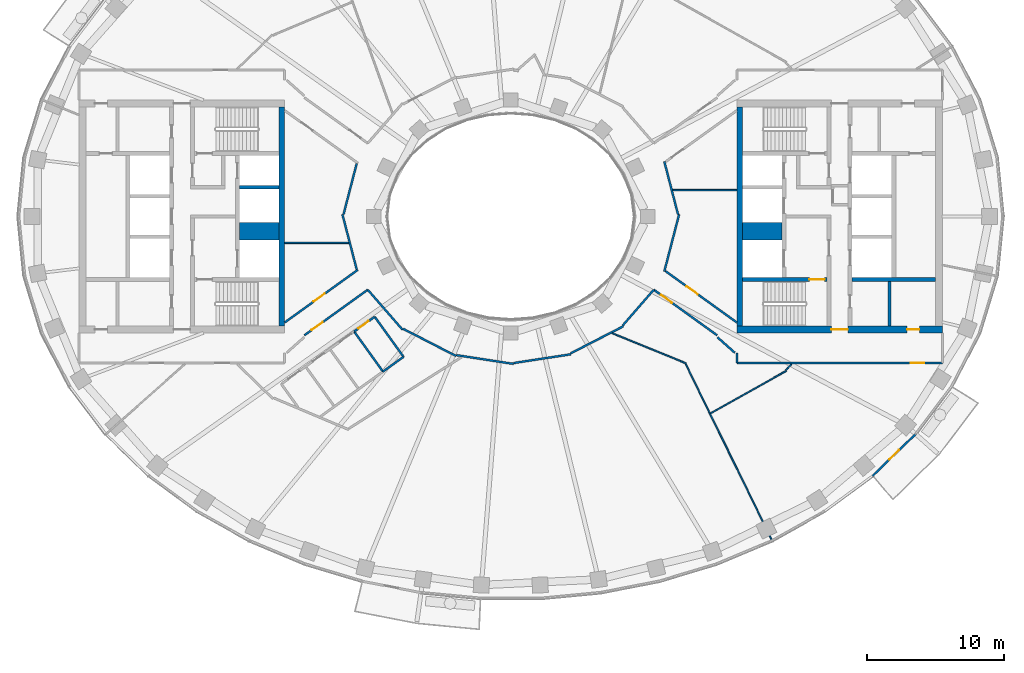
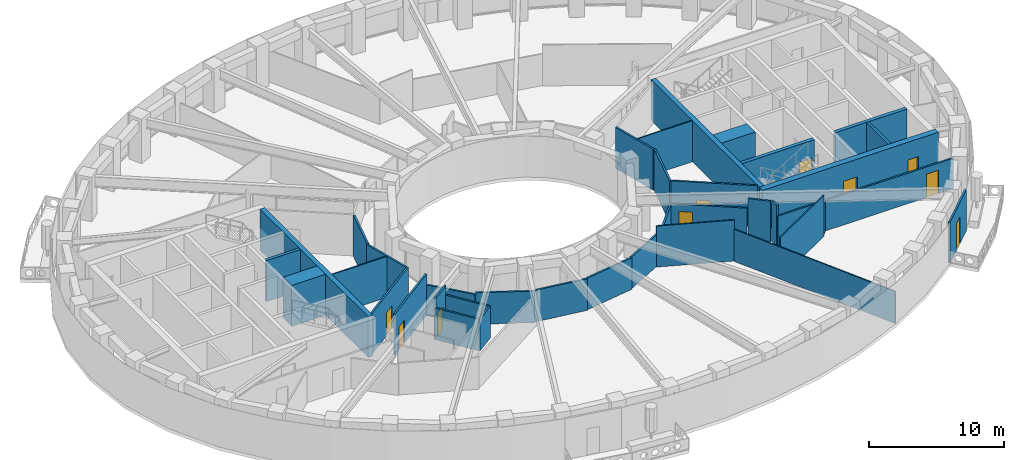
# One storey, part 4 of 16: 37 walls, 10 doors, 10 openings.
"""IFC4 building model written with IfcOpenShell, lengths in metres."""

from ifc_helpers import new_model, si_unit, direction, frame, frame_2d, origin, place, context, subcontext, project, spatial, rectangle, extrude, material, layer, layer_set, type_object, element, fill, save


model = new_model("IFC4")

# Units and contexts
model_context = context("Model", 3, precision=1e-05, world=origin(), true_north=direction((0.0, 1.0)))
body_context = subcontext(model_context, "Body", "Model", "MODEL_VIEW")
ifc_project = project(units=[si_unit("LENGTHUNIT", "METRE"), si_unit("AREAUNIT", "SQUARE_METRE"), si_unit("VOLUMEUNIT", "CUBIC_METRE"), si_unit("PLANEANGLEUNIT", "RADIAN"), si_unit("MASSUNIT", "GRAM", prefix="KILO")], contexts=[model_context])

# Site, building, storey
site_placement = place(None, origin())
site = spatial("IfcSite", under=ifc_project, at=site_placement, CompositionType="ELEMENT")
building_placement = place(site_placement, origin())
building = spatial("IfcBuilding", under=site, at=building_placement, Name="Noorbagh Ring Tower", CompositionType="ELEMENT")
storey_placement = place(building_placement, frame((0.0, 0.0, 178.0)))
storey = spatial("IfcBuildingStorey", under=building, at=storey_placement, Name="L41", CompositionType="ELEMENT", Elevation=178.0)

# Wall, opening, door
ifc_material_1 = material(Name="Gypsum board on steel studs", Category="steel")
ifc_layer_1 = layer(ifc_material_1, 0.14990234375)
ifc_layer_set_1 = layer_set([ifc_layer_1], Name="Gypsum board on steel studs")
wall_type_1 = type_object("IfcWallType", Name="COMPARTMENT PARTITION 150 EI 60", PredefinedType="PARTITIONING", material=ifc_layer_set_1)
wall_1_placement = place(storey_placement, frame((-11.429931640625, -8.39892578125, 0.0), z_axis=(0.0, 0.0, 1.0), x_axis=(0.811827466755, 0.583897391861, 0.0)))
wall_1 = element("IfcWall", 1, at=wall_1_placement, inside=storey, type_object=wall_type_1, Name="L41/wall/P27", PredefinedType="PARTITIONING", context=body_context, shape_type="SweptSolid", body=[
    extrude(rectangle(XDim=1.84765625, YDim=0.14990234375, at=frame_2d((0.923828125, 0.0))), origin(), (0.0, 0.0, 1.0), 3.699951171875),
])
opening_1_placement = place(wall_1_placement, frame((0.39990234375, 0.0, 0.0)))
opening_1 = element("IfcOpeningElement", 2, at=opening_1_placement, cuts=wall_1, Name="Opening D4", PredefinedType="OPENING", context=body_context, shape_type="SweptSolid", body=[
    extrude(rectangle(XDim=0.89990234375, YDim=2.10009765625, at=frame_2d((0.449951171875, 1.050048828125))), frame((0.0, 0.0849609375, 0.0), z_axis=(0.0, -1.0, 0.0), x_axis=(1.0, 0.0, 0.0)), (0.0, 0.0, 1.0), 0.169921875),
])
ifc_material_2 = material(Name="Timber, painted", Category="wood")
door_type_1 = type_object("IfcDoorType", Name="DOOR 900 X 2100 FD60", OperationType="SINGLE_SWING_LEFT", PredefinedType="DOOR", material=ifc_material_2)
door_1_placement = place(opening_1_placement, origin())
door_1 = element("IfcDoor", 3, at=door_1_placement, inside=storey, type_object=door_type_1, Name="L41-D05", OperationType="SINGLE_SWING_LEFT", OverallHeight=2.10009765625, OverallWidth=0.89990234375, PredefinedType="DOOR", context=body_context, shape_type="SweptSolid", body=[
    extrude(rectangle(XDim=0.89990234375, YDim=2.10009765625, at=frame_2d((0.449951171875, 1.050048828125))), frame((0.0, 0.02490234375, 0.0), z_axis=(0.0, -1.0, 0.0), x_axis=(1.0, 0.0, 0.0)), (0.0, 0.0, 1.0), 0.050048828125),
])
fill(opening_1, door_1)

# Walls
for number, where, z_axis, x_axis, name in (
    (4, (-11.429931640625, -8.39892578125, 0.0), (0.0, 0.0, 1.0), (0.584140362249, -0.811652657971, 0.0), "L41/wall/P28"),
    (5, (-9.929931640625, -7.320068359375, 0.0), (0.0, 0.0, 1.0), (0.584172514953, -0.811629516944, 0.0), "L41/wall/P31"),
):
    element("IfcWall", number, at=place(storey_placement, frame(where, z_axis=z_axis, x_axis=x_axis)), inside=storey, type_object=wall_type_1, Name=name, PredefinedType="PARTITIONING", context=body_context, shape_type="SweptSolid", body=[
        extrude(rectangle(XDim=3.60009765625, YDim=0.14990234375, at=frame_2d((1.800048828125, 0.0))), origin(), (0.0, 0.0, 1.0), 2.85009765625),
    ])
wall_2_placement = place(storey_placement, frame((-9.326904296875, -11.321044921875, 0.0), z_axis=(0.0, 0.0, 1.0), x_axis=(0.811514298965, 0.584332561625, 0.0)))
element("IfcWall", 6, at=wall_2_placement, inside=storey, type_object=wall_type_1, Name="L41/wall/P32", PredefinedType="PARTITIONING", context=body_context, shape_type="SweptSolid", body=[
    extrude(rectangle(XDim=1.848388671875, YDim=0.14990234375, at=frame_2d((0.92431640625, 0.0))), origin(), (0.0, 0.0, 1.0), 2.85009765625),
])
ifc_material_3 = material(Name="Gypsum board on steel studs", Category="steel")
ifc_layer_2 = layer(ifc_material_3, 0.199951171875)
ifc_layer_set_2 = layer_set([ifc_layer_2], Name="Gypsum board on steel studs")
wall_type_2 = type_object("IfcWallType", Name="CORE-PARTITION-200", PredefinedType="PARTITIONING", material=ifc_layer_set_2)
wall_3_placement = place(storey_placement, frame((27.64990234375, -8.0, 0.0), z_axis=(0.0, 0.0, 1.0), x_axis=(0.0, 1.0, 0.0)))
element("IfcWall", 7, at=wall_3_placement, inside=storey, type_object=wall_type_2, Name="Core partition E", PredefinedType="PARTITIONING", context=body_context, shape_type="SweptSolid", body=[
    extrude(rectangle(XDim=3.25, YDim=0.199951171875, at=frame_2d((1.625, 0.0))), origin(), (0.0, 0.0, 1.0), 3.699951171875),
])
ifc_material_4 = material(Name="Concrete C60/75", Category="concrete")
ifc_layer_3 = layer(ifc_material_4, 1.25)
ifc_layer_set_3 = layer_set([ifc_layer_3], Name="Concrete C60/75")
wall_type_3 = type_object("IfcWallType", Name="CORE-WALL-1250-C60-75-EI120", PredefinedType="SHEAR", material=ifc_layer_set_3)
for number, where, z_axis, x_axis, name in (
    (8, (-16.89990234375, -1.074951171875, 0.0), (0.0, 0.0, 1.0), (-1.0, 0.0, 0.0), "Core wall W"),
    (9, (16.89990234375, -1.074951171875, 0.0), (0.0, 0.0, 1.0), (1.0, 0.0, 0.0), "Core wall E"),
):
    element("IfcWall", number, at=place(storey_placement, frame(where, z_axis=z_axis, x_axis=x_axis)), inside=storey, type_object=wall_type_3, Name=name, PredefinedType="SHEAR", context=body_context, shape_type="SweptSolid", body=[
        extrude(rectangle(XDim=2.900146484375, YDim=1.25, at=frame_2d((1.4501953125, 0.0))), origin(), (0.0, 0.0, 1.0), 3.699951171875),
    ])
ifc_material_5 = material(Name="Concrete C60/75", Category="concrete")
ifc_layer_4 = layer(ifc_material_5, 0.25)
ifc_layer_set_4 = layer_set([ifc_layer_4], Name="Concrete C60/75")
wall_type_4 = type_object("IfcWallType", Name="CORE-WALL-250-C60-75-EI120", PredefinedType="SHEAR", material=ifc_layer_set_4)
wall_4_placement = place(storey_placement, frame((-16.89990234375, 2.125, 0.0), z_axis=(0.0, 0.0, 1.0), x_axis=(-1.0, 0.0, 0.0)))
element("IfcWall", 10, at=wall_4_placement, inside=storey, type_object=wall_type_4, Name="Core wall W", PredefinedType="SHEAR", context=body_context, shape_type="SweptSolid", body=[
    extrude(rectangle(XDim=2.900146484375, YDim=0.25, at=frame_2d((1.4501953125, 0.0))), origin(), (0.0, 0.0, 1.0), 3.699951171875),
])
ifc_material_6 = material(Name="Concrete C60/75", Category="concrete")
ifc_layer_5 = layer(ifc_material_6, 0.300048828125)
ifc_layer_set_5 = layer_set([ifc_layer_5], Name="Concrete C60/75")
wall_type_5 = type_object("IfcWallType", Name="CORE-WALL-300-C60-75-EI240", PredefinedType="SHEAR", material=ifc_layer_set_5)
wall_5_placement = place(storey_placement, frame((24.89990234375, -4.60009765625, 0.0), z_axis=(0.0, 0.0, 1.0), x_axis=(1.0, 0.0, 0.0)))
element("IfcWall", 11, at=wall_5_placement, inside=storey, type_object=wall_type_5, Name="Core wall E", PredefinedType="SHEAR", context=body_context, shape_type="SweptSolid", body=[
    extrude(rectangle(XDim=6.10009765625, YDim=0.300048828125, at=frame_2d((3.050048828125, 0.0))), origin(), (0.0, 0.0, 1.0), 3.699951171875),
])

# Wall, opening, door
wall_6_placement = place(storey_placement, frame((16.89990234375, -4.60009765625, 0.0), z_axis=(0.0, 0.0, 1.0), x_axis=(1.0, 0.0, 0.0)))
wall_6 = element("IfcWall", 12, at=wall_6_placement, inside=storey, type_object=wall_type_5, Name="Core wall E", PredefinedType="SHEAR", context=body_context, shape_type="SweptSolid", body=[
    extrude(rectangle(XDim=6.18017578125, YDim=0.300048828125, at=frame_2d((3.090087890625, 0.0))), origin(), (0.0, 0.0, 1.0), 3.699951171875),
])
opening_2_placement = place(wall_6_placement, frame((4.89990234375, 0.0, 0.0)))
opening_2 = element("IfcOpeningElement", 13, at=opening_2_placement, cuts=wall_6, Name="Opening L41-CE08", PredefinedType="OPENING", context=body_context, shape_type="SweptSolid", body=[
    extrude(rectangle(XDim=1.10009765625, YDim=2.10009765625, at=frame_2d((0.550048828125, 1.050048828125))), frame((0.0, 0.16015625, 0.0), z_axis=(0.0, -1.0, 0.0), x_axis=(1.0, 0.0, 0.0)), (0.0, 0.0, 1.0), 0.320068359375),
])
ifc_material_7 = material(Name="Steel door leaf", Category="steel")
door_type_2 = type_object("IfcDoorType", Name="CORE-DOOR-DSTAIR", OperationType="SINGLE_SWING_LEFT", PredefinedType="DOOR", material=ifc_material_7)
door_2_placement = place(opening_2_placement, origin())
door_2 = element("IfcDoor", 14, at=door_2_placement, inside=storey, type_object=door_type_2, Name="Stair door ST4 L41-CE08", OperationType="SINGLE_SWING_RIGHT", OverallHeight=2.10009765625, OverallWidth=1.10009765625, PredefinedType="DOOR", context=body_context, shape_type="SweptSolid", body=[
    extrude(rectangle(XDim=1.10009765625, YDim=2.10009765625, at=frame_2d((0.550048828125, 1.050048828125))), frame((0.0, 0.02490234375, 0.0), z_axis=(0.0, -1.0, 0.0), x_axis=(1.0, 0.0, 0.0)), (0.0, 0.0, 1.0), 0.050048828125),
])
fill(opening_2, door_2)

# Walls
ifc_material_8 = material(Name="Concrete C60/75", Category="concrete")
ifc_layer_6 = layer(ifc_material_8, 0.39990234375)
ifc_layer_set_6 = layer_set([ifc_layer_6], Name="Concrete C60/75")
wall_type_6 = type_object("IfcWallType", Name="CORE-WALL-400-C60-75-EI240", PredefinedType="SHEAR", material=ifc_layer_set_6)
for number, where, z_axis, x_axis, name in (
    (15, (-16.699951171875, -8.0, 0.0), (0.0, 0.0, 1.0), (0.0, 1.0, 0.0), "Core wall W"),
    (16, (16.699951171875, -8.0, 0.0), (0.0, 0.0, 1.0), (0.0, 1.0, 0.0), "Core wall E"),
):
    element("IfcWall", number, at=place(storey_placement, frame(where, z_axis=z_axis, x_axis=x_axis)), inside=storey, type_object=wall_type_6, Name=name, PredefinedType="SHEAR", context=body_context, shape_type="SweptSolid", body=[
        extrude(rectangle(XDim=16.0, YDim=0.39990234375, at=frame_2d((8.0, 0.0))), origin(), (0.0, 0.0, 1.0), 3.699951171875),
    ])

# Wall, openings, doors
ifc_material_9 = material(Name="Concrete C60/75", Category="concrete")
ifc_layer_7 = layer(ifc_material_9, 0.5)
ifc_layer_set_7 = layer_set([ifc_layer_7], Name="Concrete C60/75")
wall_type_7 = type_object("IfcWallType", Name="CORE-WALL-500-C60-75-EI240", PredefinedType="SHEAR", material=ifc_layer_set_7)
wall_7_placement = place(storey_placement, frame((16.5, -8.25, 0.0), z_axis=(0.0, 0.0, 1.0), x_axis=(1.0, 0.0, 0.0)))
wall_7 = element("IfcWall", 17, at=wall_7_placement, inside=storey, type_object=wall_type_7, Name="Core wall E", PredefinedType="SHEAR", context=body_context, shape_type="SweptSolid", body=[
    extrude(rectangle(XDim=15.0, YDim=0.5, at=frame_2d((7.5, 0.0))), origin(), (0.0, 0.0, 1.0), 3.699951171875),
])
opening_3_placement = place(wall_7_placement, frame((6.89990234375, 0.0, 0.0)))
opening_3 = element("IfcOpeningElement", 18, at=opening_3_placement, cuts=wall_7, Name="Opening L41-CE12", PredefinedType="OPENING", context=body_context, shape_type="SweptSolid", body=[
    extrude(rectangle(XDim=1.199951171875, YDim=2.10009765625, at=frame_2d((0.60009765625, 1.050048828125))), frame((0.0, 0.260009765625, 0.0), z_axis=(0.0, -1.0, 0.0), x_axis=(1.0, 0.0, 0.0)), (0.0, 0.0, 1.0), 0.52001953125),
])
opening_4_placement = place(wall_7_placement, frame((12.425048828125, 0.0, 0.0)))
opening_4 = element("IfcOpeningElement", 19, at=opening_4_placement, cuts=wall_7, Name="Opening L41-CE16", PredefinedType="OPENING", context=body_context, shape_type="SweptSolid", body=[
    extrude(rectangle(XDim=0.89990234375, YDim=2.10009765625, at=frame_2d((0.449951171875, 1.050048828125))), frame((0.0, 0.260009765625, 0.0), z_axis=(0.0, -1.0, 0.0), x_axis=(1.0, 0.0, 0.0)), (0.0, 0.0, 1.0), 0.52001953125),
])
ifc_material_10 = material(Name="Steel door leaf", Category="steel")
door_type_3 = type_object("IfcDoorType", Name="CORE-DOOR-DROOM", OperationType="SINGLE_SWING_LEFT", PredefinedType="DOOR", material=ifc_material_10)
door_3_placement = place(opening_4_placement, origin())
door_3 = element("IfcDoor", 20, at=door_3_placement, inside=storey, type_object=door_type_3, Name="Core room door L41-CE16", OperationType="SINGLE_SWING_RIGHT", OverallHeight=2.10009765625, OverallWidth=0.89990234375, PredefinedType="DOOR", context=body_context, shape_type="SweptSolid", body=[
    extrude(rectangle(XDim=0.89990234375, YDim=2.10009765625, at=frame_2d((0.449951171875, 1.050048828125))), frame((0.0, 0.02490234375, 0.0), z_axis=(0.0, -1.0, 0.0), x_axis=(1.0, 0.0, 0.0)), (0.0, 0.0, 1.0), 0.050048828125),
])
fill(opening_4, door_3)
ifc_material_11 = material(Name="Steel door leaf", Category="steel")
door_type_4 = type_object("IfcDoorType", Name="CORE-DOOR-PORT", OperationType="DOUBLE_DOOR_DOUBLE_SWING", PredefinedType="DOOR", material=ifc_material_11)
door_4_placement = place(opening_3_placement, origin())
door_4 = element("IfcDoor", 21, at=door_4_placement, inside=storey, type_object=door_type_4, Name="Core entrance door L41-CE12", OperationType="DOUBLE_DOOR_DOUBLE_SWING", OverallHeight=2.10009765625, OverallWidth=1.199951171875, PredefinedType="DOOR", context=body_context, shape_type="SweptSolid", body=[
    extrude(rectangle(XDim=1.199951171875, YDim=2.10009765625, at=frame_2d((0.60009765625, 1.050048828125))), frame((0.0, 0.02490234375, 0.0), z_axis=(0.0, -1.0, 0.0), x_axis=(1.0, 0.0, 0.0)), (0.0, 0.0, 1.0), 0.050048828125),
])
fill(opening_3, door_4)

# Wall, opening, door
ifc_material_12 = material(Name="Gypsum board on steel studs", Category="steel")
ifc_layer_8 = layer(ifc_material_12, 0.14990234375)
ifc_layer_set_8 = layer_set([ifc_layer_8], Name="Gypsum board on steel studs")
wall_type_8 = type_object("IfcWallType", Name="CORRIDOR PARTITION 150 EI 30", PredefinedType="PARTITIONING", material=ifc_layer_set_8)
wall_8_placement = place(storey_placement, frame((-16.5, -7.735107421875, 0.0), z_axis=(0.0, 0.0, 1.0), x_axis=(0.811616692984, 0.584190331715, 0.0)))
wall_8 = element("IfcWall", 22, at=wall_8_placement, inside=storey, type_object=wall_type_8, Name="L41/wall/P16", PredefinedType="PARTITIONING", context=body_context, shape_type="SweptSolid", body=[
    extrude(rectangle(XDim=6.578369140625, YDim=0.14990234375, at=frame_2d((3.2890625, 0.0))), origin(), (0.0, 0.0, 1.0), 3.699951171875),
])
opening_5_placement = place(wall_8_placement, frame((2.59814453125, 0.0, 0.0)))
opening_5 = element("IfcOpeningElement", 23, at=opening_5_placement, cuts=wall_8, Name="Opening D1", PredefinedType="OPENING", context=body_context, shape_type="SweptSolid", body=[
    extrude(rectangle(XDim=1.0, YDim=2.10009765625, at=frame_2d((0.5, 1.050048828125))), frame((0.0, 0.0849609375, 0.0), z_axis=(0.0, -1.0, 0.0), x_axis=(1.0, 0.0, 0.0)), (0.0, 0.0, 1.0), 0.169921875),
])
ifc_material_13 = material(Name="Timber, painted", Category="wood")
door_type_5 = type_object("IfcDoorType", Name="DOOR 1000 X 2100 FD30", OperationType="SINGLE_SWING_LEFT", PredefinedType="DOOR", material=ifc_material_13)
door_5_placement = place(opening_5_placement, origin())
door_5 = element("IfcDoor", 24, at=door_5_placement, inside=storey, type_object=door_type_5, Name="L41-D16", OperationType="SINGLE_SWING_RIGHT", OverallHeight=2.10009765625, OverallWidth=1.0, PredefinedType="DOOR", context=body_context, shape_type="SweptSolid", body=[
    extrude(rectangle(XDim=1.0, YDim=2.10009765625, at=frame_2d((0.5, 1.050048828125))), frame((0.0, 0.02490234375, 0.0), z_axis=(0.0, -1.0, 0.0), x_axis=(1.0, 0.0, 0.0)), (0.0, 0.0, 1.0), 0.050048828125),
])
fill(opening_5, door_5)

wall_9_placement = place(storey_placement, frame((-15.06103515625, -8.6708984375, 0.0), z_axis=(0.0, 0.0, 1.0), x_axis=(0.811697765448, 0.584077681106, 0.0)))
wall_9 = element("IfcWall", 25, at=wall_9_placement, inside=storey, type_object=wall_type_8, Name="L41/wall/P18", PredefinedType="PARTITIONING", context=body_context, shape_type="SweptSolid", body=[
    extrude(rectangle(XDim=5.6943359375, YDim=0.14990234375, at=frame_2d((2.84716796875, 0.0))), origin(), (0.0, 0.0, 1.0), 3.699951171875),
])
opening_6_placement = place(wall_9_placement, frame((0.64990234375, 0.0, 0.0)))
opening_6 = element("IfcOpeningElement", 26, at=opening_6_placement, cuts=wall_9, Name="Opening D1", PredefinedType="OPENING", context=body_context, shape_type="SweptSolid", body=[
    extrude(rectangle(XDim=1.0, YDim=2.10009765625, at=frame_2d((0.5, 1.050048828125))), frame((0.0, 0.0849609375, 0.0), z_axis=(0.0, -1.0, 0.0), x_axis=(1.0, 0.0, 0.0)), (0.0, 0.0, 1.0), 0.169921875),
])
door_6_placement = place(opening_6_placement, origin())
door_6 = element("IfcDoor", 27, at=door_6_placement, inside=storey, type_object=door_type_5, Name="L41-D01", OperationType="SINGLE_SWING_LEFT", OverallHeight=2.10009765625, OverallWidth=1.0, PredefinedType="DOOR", context=body_context, shape_type="SweptSolid", body=[
    extrude(rectangle(XDim=1.0, YDim=2.10009765625, at=frame_2d((0.5, 1.050048828125))), frame((0.0, 0.02490234375, 0.0), z_axis=(0.0, -1.0, 0.0), x_axis=(1.0, 0.0, 0.0)), (0.0, 0.0, 1.0), 0.050048828125),
])
fill(opening_6, door_6)

# Walls
wall_10_placement = place(storey_placement, frame((-12.285888671875, 0.14892578125, 0.0), z_axis=(0.0, 0.0, 1.0), x_axis=(0.250998973278, -0.96798735292, 0.0)))
element("IfcWall", 28, at=wall_10_placement, inside=storey, type_object=wall_type_8, Name="L41/wall/P24", PredefinedType="PARTITIONING", context=body_context, shape_type="SweptSolid", body=[
    extrude(rectangle(XDim=4.142578125, YDim=0.14990234375, at=frame_2d((2.0712890625, 0.0))), origin(), (0.0, 0.0, 1.0), 3.699951171875),
])
wall_11_placement = place(storey_placement, frame((-12.2080078125, 0.14892578125, 0.0), z_axis=(0.0, 0.0, 1.0), x_axis=(0.250840636591, 0.968028395779, 0.0)))
element("IfcWall", 29, at=wall_11_placement, inside=storey, type_object=wall_type_8, Name="L41/wall/P25", PredefinedType="PARTITIONING", context=body_context, shape_type="SweptSolid", body=[
    extrude(rectangle(XDim=3.834716796875, YDim=0.14990234375, at=frame_2d((1.91748046875, 0.0))), origin(), (0.0, 0.0, 1.0), 3.699951171875),
])
wall_12_placement = place(storey_placement, frame((-10.43896484375, -5.344970703125, 0.0), z_axis=(0.0, 0.0, 1.0), x_axis=(0.656405809938, -0.754407988213, 0.0)))
element("IfcWall", 30, at=wall_12_placement, inside=storey, type_object=wall_type_8, Name="L41/wall/P29", PredefinedType="PARTITIONING", context=body_context, shape_type="SweptSolid", body=[
    extrude(rectangle(XDim=3.85888671875, YDim=0.14990234375, at=frame_2d((1.929443359375, 0.0))), origin(), (0.0, 0.0, 1.0), 2.75),
])
wall_13_placement = place(storey_placement, frame((-7.85888671875, -8.196044921875, 0.0), z_axis=(0.0, 0.0, 1.0), x_axis=(0.889405670308, -0.457118752213, 0.0)))
element("IfcWall", 31, at=wall_13_placement, inside=storey, type_object=wall_type_8, Name="L41/wall/P33", PredefinedType="PARTITIONING", context=body_context, shape_type="SweptSolid", body=[
    extrude(rectangle(XDim=4.35546875, YDim=0.14990234375, at=frame_2d((2.177734375, 0.0))), origin(), (0.0, 0.0, 1.0), 2.85009765625),
])
for number, where, z_axis, x_axis, name in (
    (32, (-3.964111328125, -10.12109375, 0.0), (0.0, 0.0, 1.0), (0.988463044045, -0.151462241359, 0.0), "L41/wall/P36"),
    (33, (0.2119140625, -10.697021484375, 0.0), (0.0, 0.0, 1.0), (0.988454390794, 0.151518702874, 0.0), "L41/wall/P39"),
):
    element("IfcWall", number, at=place(storey_placement, frame(where, z_axis=z_axis, x_axis=x_axis)), inside=storey, type_object=wall_type_8, Name=name, PredefinedType="PARTITIONING", context=body_context, shape_type="SweptSolid", body=[
        extrude(rectangle(XDim=4.224853515625, YDim=0.14990234375, at=frame_2d((2.1123046875, 0.0))), origin(), (0.0, 0.0, 1.0), 2.85009765625),
    ])
wall_14_placement = place(storey_placement, frame((4.366943359375, -9.990966796875, 0.0), z_axis=(0.0, 0.0, 1.0), x_axis=(0.889480321924, 0.456973475061, 0.0)))
element("IfcWall", 34, at=wall_14_placement, inside=storey, type_object=wall_type_8, Name="L41/wall/P45", PredefinedType="PARTITIONING", context=body_context, shape_type="SweptSolid", body=[
    extrude(rectangle(XDim=4.33056640625, YDim=0.14990234375, at=frame_2d((2.165283203125, 0.0))), origin(), (0.0, 0.0, 1.0), 2.85009765625),
])
wall_15_placement = place(storey_placement, frame((8.172119140625, -7.951904296875, 0.0), z_axis=(0.0, 0.0, 1.0), x_axis=(0.656169966724, 0.754613129206, 0.0)))
element("IfcWall", 35, at=wall_15_placement, inside=storey, type_object=wall_type_8, Name="L41/wall/P49", PredefinedType="PARTITIONING", context=body_context, shape_type="SweptSolid", body=[
    extrude(rectangle(XDim=3.45458984375, YDim=0.14990234375, at=frame_2d((1.727294921875, 0.0))), origin(), (0.0, 0.0, 1.0), 2.75),
])

# Wall, opening, door
wall_16_placement = place(storey_placement, frame((10.43896484375, -5.344970703125, 0.0), z_axis=(0.0, 0.0, 1.0), x_axis=(0.811697765448, -0.584077681106, 0.0)))
wall_16 = element("IfcWall", 36, at=wall_16_placement, inside=storey, type_object=wall_type_8, Name="L41/wall/P51", PredefinedType="PARTITIONING", context=body_context, shape_type="SweptSolid", body=[
    extrude(rectangle(XDim=5.6943359375, YDim=0.14990234375, at=frame_2d((2.84716796875, 0.0))), origin(), (0.0, 0.0, 1.0), 2.75),
])
opening_7_placement = place(wall_16_placement, frame((0.64990234375, 0.0, 0.0)))
opening_7 = element("IfcOpeningElement", 37, at=opening_7_placement, cuts=wall_16, Name="Opening D1", PredefinedType="OPENING", context=body_context, shape_type="SweptSolid", body=[
    extrude(rectangle(XDim=1.0, YDim=2.10009765625, at=frame_2d((0.5, 1.050048828125))), frame((0.0, 0.0849609375, 0.0), z_axis=(0.0, -1.0, 0.0), x_axis=(1.0, 0.0, 0.0)), (0.0, 0.0, 1.0), 0.169921875),
])
door_7_placement = place(opening_7_placement, origin())
door_7 = element("IfcDoor", 38, at=door_7_placement, inside=storey, type_object=door_type_5, Name="L41-D13", OperationType="SINGLE_SWING_LEFT", OverallHeight=2.10009765625, OverallWidth=1.0, PredefinedType="DOOR", context=body_context, shape_type="SweptSolid", body=[
    extrude(rectangle(XDim=1.0, YDim=2.10009765625, at=frame_2d((0.5, 1.050048828125))), frame((0.0, 0.02490234375, 0.0), z_axis=(0.0, -1.0, 0.0), x_axis=(1.0, 0.0, 0.0)), (0.0, 0.0, 1.0), 0.050048828125),
])
fill(opening_7, door_7)

# Wall
wall_17_placement = place(storey_placement, frame((11.2060546875, -4.01708984375, 0.0), z_axis=(0.0, 0.0, 1.0), x_axis=(0.250909003024, 0.968010677731, 0.0)))
element("IfcWall", 39, at=wall_17_placement, inside=storey, type_object=wall_type_8, Name="L41/wall/P53", PredefinedType="PARTITIONING", context=body_context, shape_type="SweptSolid", body=[
    extrude(rectangle(XDim=4.3037109375, YDim=0.14990234375, at=frame_2d((2.15185546875, 0.0))), origin(), (0.0, 0.0, 1.0), 3.699951171875),
])

# Wall, opening, door
wall_18_placement = place(storey_placement, frame((11.291015625, -3.986083984375, 0.0), z_axis=(0.0, 0.0, 1.0), x_axis=(0.81164111506, -0.584156400584, 0.0)))
wall_18 = element("IfcWall", 40, at=wall_18_placement, inside=storey, type_object=wall_type_8, Name="L41/wall/P54", PredefinedType="PARTITIONING", context=body_context, shape_type="SweptSolid", body=[
    extrude(rectangle(XDim=6.417724609375, YDim=0.14990234375, at=frame_2d((3.208984375, 0.0))), origin(), (0.0, 0.0, 1.0), 3.699951171875),
])
opening_8_placement = place(wall_18_placement, frame((1.903076171875, 0.0, 0.0)))
opening_8 = element("IfcOpeningElement", 41, at=opening_8_placement, cuts=wall_18, Name="Opening D1", PredefinedType="OPENING", context=body_context, shape_type="SweptSolid", body=[
    extrude(rectangle(XDim=1.0, YDim=2.10009765625, at=frame_2d((0.5, 1.050048828125))), frame((0.0, 0.0849609375, 0.0), z_axis=(0.0, -1.0, 0.0), x_axis=(1.0, 0.0, 0.0)), (0.0, 0.0, 1.0), 0.169921875),
])
door_8_placement = place(opening_8_placement, origin())
door_8 = element("IfcDoor", 42, at=door_8_placement, inside=storey, type_object=door_type_5, Name="L41-D18", OperationType="SINGLE_SWING_RIGHT", OverallHeight=2.10009765625, OverallWidth=1.0, PredefinedType="DOOR", context=body_context, shape_type="SweptSolid", body=[
    extrude(rectangle(XDim=1.0, YDim=2.10009765625, at=frame_2d((0.5, 1.050048828125))), frame((0.0, 0.02490234375, 0.0), z_axis=(0.0, -1.0, 0.0), x_axis=(1.0, 0.0, 0.0)), (0.0, 0.0, 1.0), 0.050048828125),
])
fill(opening_8, door_8)

# Walls
wall_19_placement = place(storey_placement, frame((11.2060546875, 4.01708984375, 0.0), z_axis=(0.0, 0.0, 1.0), x_axis=(0.250750112686, -0.968051848295, 0.0)))
element("IfcWall", 43, at=wall_19_placement, inside=storey, type_object=wall_type_8, Name="L41/wall/P55", PredefinedType="PARTITIONING", context=body_context, shape_type="SweptSolid", body=[
    extrude(rectangle(XDim=3.995849609375, YDim=0.14990234375, at=frame_2d((1.998046875, 0.0))), origin(), (0.0, 0.0, 1.0), 3.699951171875),
])
wall_20_placement = place(storey_placement, frame((16.5, -10.699951171875, 0.0), z_axis=(0.0, 0.0, 1.0), x_axis=(0.0, 1.0, 0.0)))
element("IfcWall", 44, at=wall_20_placement, inside=storey, type_object=wall_type_8, Name="L41/wall/P61", PredefinedType="PARTITIONING", context=body_context, shape_type="SweptSolid", body=[
    extrude(rectangle(XDim=0.73583984375, YDim=0.14990234375, at=frame_2d((0.367919921875, 0.0))), origin(), (0.0, 0.0, 1.0), 3.699951171875),
])

# Wall, opening, door
wall_21_placement = place(storey_placement, frame((16.5, -10.699951171875, 0.0), z_axis=(0.0, 0.0, 1.0), x_axis=(1.0, 0.0, 0.0)))
wall_21 = element("IfcWall", 45, at=wall_21_placement, inside=storey, type_object=wall_type_8, Name="L41/wall/P62", PredefinedType="PARTITIONING", context=body_context, shape_type="SweptSolid", body=[
    extrude(rectangle(XDim=15.0, YDim=0.14990234375, at=frame_2d((7.5, 0.0))), origin(), (0.0, 0.0, 1.0), 2.75),
])
opening_9_placement = place(wall_21_placement, frame((12.693115234375, 0.0, 0.0)))
opening_9 = element("IfcOpeningElement", 46, at=opening_9_placement, cuts=wall_21, Name="Opening D1", PredefinedType="OPENING", context=body_context, shape_type="SweptSolid", body=[
    extrude(rectangle(XDim=1.0, YDim=2.10009765625, at=frame_2d((0.5, 1.050048828125))), frame((0.0, 0.0849609375, 0.0), z_axis=(0.0, -1.0, 0.0), x_axis=(1.0, 0.0, 0.0)), (0.0, 0.0, 1.0), 0.169921875),
])
door_9_placement = place(opening_9_placement, origin())
door_9 = element("IfcDoor", 47, at=door_9_placement, inside=storey, type_object=door_type_5, Name="L41-D14", OperationType="SINGLE_SWING_RIGHT", OverallHeight=2.10009765625, OverallWidth=1.0, PredefinedType="DOOR", context=body_context, shape_type="SweptSolid", body=[
    extrude(rectangle(XDim=1.0, YDim=2.10009765625, at=frame_2d((0.5, 1.050048828125))), frame((0.0, 0.02490234375, 0.0), z_axis=(0.0, -1.0, 0.0), x_axis=(1.0, 0.0, 0.0)), (0.0, 0.0, 1.0), 0.050048828125),
])
fill(opening_9, door_9)

# Wall
wall_22_placement = place(storey_placement, frame((16.35205078125, -9.94189453125, 0.0), z_axis=(0.0, 0.0, 1.0), x_axis=(-0.747926695066, 0.663781333579, 0.0)))
element("IfcWall", 48, at=wall_22_placement, inside=storey, type_object=wall_type_8, Name="L41/wall/P73", PredefinedType="PARTITIONING", context=body_context, shape_type="SweptSolid", body=[
    extrude(rectangle(XDim=1.69140625, YDim=0.14990234375, at=frame_2d((0.845703125, 0.0))), origin(), (0.0, 0.0, 1.0), 3.699951171875),
])

# Wall, opening, door
ifc_material_14 = material(Name="Insulated aluminium clad panel", Category="aluminium")
ifc_layer_9 = layer(ifc_material_14, 0.14990234375)
ifc_layer_set_9 = layer_set([ifc_layer_9], Name="Insulated aluminium clad panel")
wall_type_9 = type_object("IfcWallType", Name="ENV-WALL-DOOR", PredefinedType="STANDARD", material=ifc_layer_set_9)
wall_23_placement = place(storey_placement, frame((26.396484375, -18.943359375, 0.0), z_axis=(0.0, 0.0, 1.0), x_axis=(0.717214761864, 0.696852197647, 0.0)))
wall_23 = element("IfcWall", 49, at=wall_23_placement, inside=storey, type_object=wall_type_9, Name="Balcony door wall chord 42", PredefinedType="STANDARD", context=body_context, shape_type="SweptSolid", body=[
    extrude(rectangle(XDim=4.424072265625, YDim=0.14990234375, at=frame_2d((2.2119140625, 0.0))), origin(), (0.0, 0.0, 1.0), 3.699951171875),
])
opening_10_placement = place(wall_23_placement, frame((1.712158203125, 0.0, 0.0)))
opening_10 = element("IfcOpeningElement", 50, at=opening_10_placement, cuts=wall_23, Name="Opening D-BL", PredefinedType="OPENING", context=body_context, shape_type="SweptSolid", body=[
    extrude(rectangle(XDim=1.0, YDim=2.39990234375, at=frame_2d((0.5, 1.199951171875))), frame((0.0, 0.0849609375, 0.0), z_axis=(0.0, -1.0, 0.0), x_axis=(1.0, 0.0, 0.0)), (0.0, 0.0, 1.0), 0.169921875),
])
ifc_material_15 = material(Name="Aluminium and glass", Category="aluminium")
door_type_6 = type_object("IfcDoorType", Name="ENV-DOOR-BALCONY", OperationType="SINGLE_SWING_LEFT", PredefinedType="DOOR", material=ifc_material_15)
door_10_placement = place(opening_10_placement, origin())
door_10 = element("IfcDoor", 51, at=door_10_placement, inside=storey, type_object=door_type_6, Name="Balcony door chord 42", OperationType="SINGLE_SWING_RIGHT", OverallHeight=2.39990234375, OverallWidth=1.0, PredefinedType="DOOR", context=body_context, shape_type="SweptSolid", body=[
    extrude(rectangle(XDim=1.0, YDim=2.39990234375, at=frame_2d((0.5, 1.199951171875))), frame((0.0, 0.02490234375, 0.0), z_axis=(0.0, -1.0, 0.0), x_axis=(1.0, 0.0, 0.0)), (0.0, 0.0, 1.0), 0.050048828125),
])
fill(opening_10, door_10)

# Walls
ifc_material_16 = material(Name="Gypsum board on steel studs", Category="steel")
ifc_layer_10 = layer(ifc_material_16, 0.10009765625)
ifc_layer_set_10 = layer_set([ifc_layer_10], Name="Gypsum board on steel studs")
wall_type_10 = type_object("IfcWallType", Name="PARTITION 100 GYPSUM", PredefinedType="PARTITIONING", material=ifc_layer_set_10)
wall_24_placement = place(storey_placement, frame((-16.5, -1.927978515625, 0.0), z_axis=(0.0, 0.0, 1.0), x_axis=(1.0, 0.0, 0.0)))
element("IfcWall", 52, at=wall_24_placement, inside=storey, type_object=wall_type_10, Name="L41/wall/P14", PredefinedType="PARTITIONING", context=body_context, shape_type="SweptSolid", body=[
    extrude(rectangle(XDim=4.672119140625, YDim=0.10009765625, at=frame_2d((2.3359375, 0.0))), origin(), (0.0, 0.0, 1.0), 3.699951171875),
])
wall_25_placement = place(storey_placement, frame((7.404052734375, -8.513916015625, 0.0), z_axis=(0.0, 0.0, 1.0), x_axis=(0.925466982835, -0.3788282773, 0.0)))
element("IfcWall", 53, at=wall_25_placement, inside=storey, type_object=wall_type_10, Name="L41/wall/P48", PredefinedType="PARTITIONING", context=body_context, shape_type="SweptSolid", body=[
    extrude(rectangle(XDim=5.8369140625, YDim=0.10009765625, at=frame_2d((2.91845703125, 0.0))), origin(), (0.0, 0.0, 1.0), 3.699951171875),
])
wall_26_placement = place(storey_placement, frame((11.827880859375, 1.927978515625, 0.0), z_axis=(0.0, 0.0, 1.0), x_axis=(1.0, 0.0, 0.0)))
element("IfcWall", 54, at=wall_26_placement, inside=storey, type_object=wall_type_10, Name="L41/wall/P58", PredefinedType="PARTITIONING", context=body_context, shape_type="SweptSolid", body=[
    extrude(rectangle(XDim=4.672119140625, YDim=0.10009765625, at=frame_2d((2.3359375, 0.0))), origin(), (0.0, 0.0, 1.0), 3.699951171875),
])
wall_27_placement = place(storey_placement, frame((12.76904296875, -10.764892578125, 0.0), z_axis=(0.0, 0.0, 1.0), x_axis=(0.439149239372, -0.898414128094, 0.0)))
element("IfcWall", 55, at=wall_27_placement, inside=storey, type_object=wall_type_10, Name="L41/wall/P59", PredefinedType="PARTITIONING", context=body_context, shape_type="SweptSolid", body=[
    extrude(rectangle(XDim=14.382080078125, YDim=0.10009765625, at=frame_2d((7.19091796875, 0.0))), origin(), (0.0, 0.0, 1.0), 2.89990234375),
])
wall_28_placement = place(storey_placement, frame((14.587890625, -14.368896484375, 0.0), z_axis=(0.0, 0.0, 1.0), x_axis=(0.871762845587, 0.489928097841, 0.0)))
element("IfcWall", 56, at=wall_28_placement, inside=storey, type_object=wall_type_10, Name="L41/wall/P60", PredefinedType="PARTITIONING", context=body_context, shape_type="SweptSolid", body=[
    extrude(rectangle(XDim=6.333251953125, YDim=0.10009765625, at=frame_2d((3.16650390625, 0.0))), origin(), (0.0, 0.0, 1.0), 3.699951171875),
])
wall_29_placement = place(storey_placement, frame((20.0791015625, -11.22900390625, 0.0), z_axis=(0.0, 0.0, 1.0), x_axis=(0.663614598559, 0.748074638375, 0.0)))
element("IfcWall", 57, at=wall_29_placement, inside=storey, type_object=wall_type_10, Name="L41/wall/P65", PredefinedType="PARTITIONING", context=body_context, shape_type="SweptSolid", body=[
    extrude(rectangle(XDim=0.60693359375, YDim=0.10009765625, at=frame_2d((0.303466796875, 0.0))), origin(), (0.0, 0.0, 1.0), 2.75),
])

save(model, "model.ifc")
